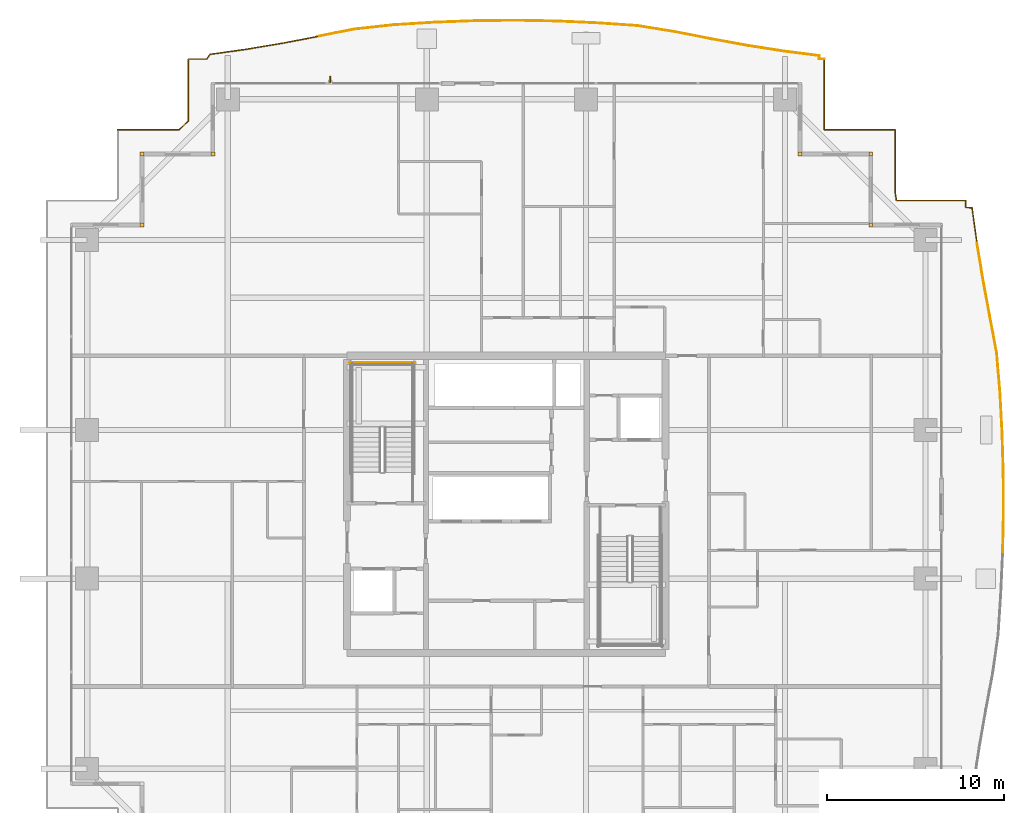
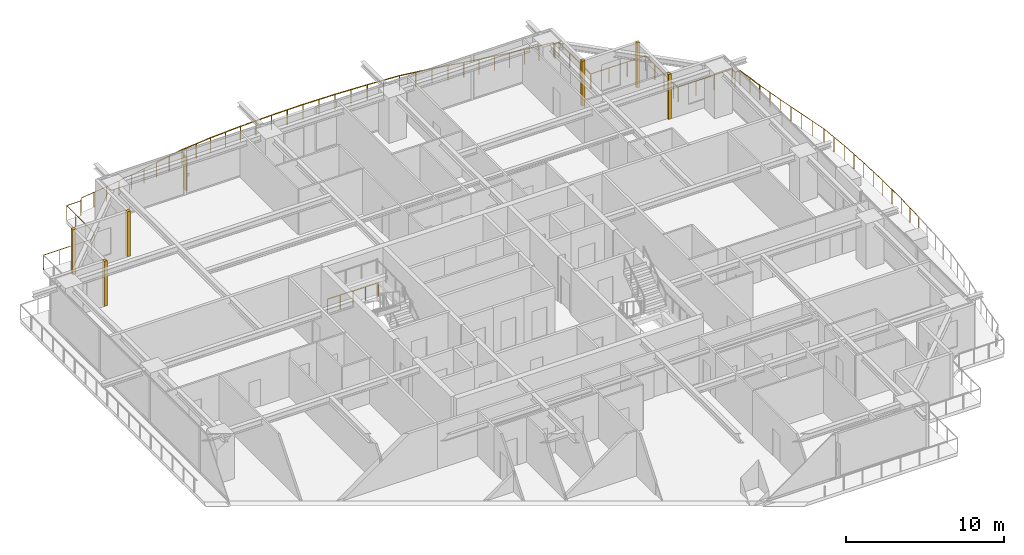
# One storey, part 34 of 34: 6 coverings, 6 railings, 1 shading device.
"""IFC4 building model written with IfcOpenShell, lengths in metres."""

from ifc_helpers import new_model, si_unit, direction, frame, origin, origin_2d, place, context, subcontext, project, spatial, rectangle, circle, extrude, source, transform, mapped, material, layer, layer_set, type_object, element, save


model = new_model("IFC4")

# Units and contexts
model_context = context("Model", 3, precision=1e-05, world=origin(), true_north=direction((0.0, 1.0)))
body_context = subcontext(model_context, "Body", "Model", "MODEL_VIEW")
ifc_project = project(units=[si_unit("LENGTHUNIT", "METRE"), si_unit("AREAUNIT", "SQUARE_METRE"), si_unit("VOLUMEUNIT", "CUBIC_METRE"), si_unit("PLANEANGLEUNIT", "RADIAN"), si_unit("MASSUNIT", "GRAM", prefix="KILO")], contexts=[model_context])

# Site, building, storey
site_placement = place(None, origin())
site = spatial("IfcSite", under=ifc_project, at=site_placement, CompositionType="ELEMENT")
building_placement = place(site_placement, origin())
building = spatial("IfcBuilding", under=site, at=building_placement, Name="Serunith Strait Residences", CompositionType="ELEMENT")
storey_placement = place(building_placement, frame((0.0, 0.0, 135.14990234375)))
storey = spatial("IfcBuildingStorey", under=building, at=storey_placement, Name="L33", CompositionType="ELEMENT", Elevation=135.14990234375)

# Railings
ifc_material_1 = material(Name="Stainless Steel & Laminated Glass Balustrade", Category="steel")
railing_type_1 = type_object("IfcRailingType", Name="RLG-BALC-1150", PredefinedType="BALUSTRADE", material=ifc_material_1)
railing_1_placement = place(storey_placement, frame((10.419921875, 46.3798828125, -0.0498046875)))
element("IfcRailing", 1, at=railing_1_placement, inside=storey, type_object=railing_type_1, Name="L33 Swirling Balcony Perimeter Balustrade 1", PredefinedType="BALUSTRADE", context=body_context, shape_type="SweptSolid", body=[
    extrude(circle(Radius=0.02392578125, at=origin_2d()), frame((0.001953125, 0.0, 1.1259765625), z_axis=(1.0, 0.0, 0.0), x_axis=(0.0, 1.0, 0.0)), (0.0, 0.0, 1.0), 3.474365234375),
    extrude(circle(Radius=0.02392578125, at=origin_2d()), frame((3.479736328125, 0.00146484375, 1.1259765625), z_axis=(0.72113776667, 0.692791686932, 0.0), x_axis=(-0.692791686932, 0.72113776667, 0.0)), (0.0, 0.0, 1.0), 0.719482421875),
    extrude(circle(Radius=0.02392578125, at=origin_2d()), frame((4.0, 0.503173828125, 1.1259765625), z_axis=(0.0, 1.0, 0.0), x_axis=(-1.0, 0.0, 0.0)), (0.0, 0.0, 1.0), 3.494873046875),
    extrude(circle(Radius=0.02392578125, at=origin_2d()), frame((4.001953125, 4.0, 1.1259765625), z_axis=(1.0, 0.0, 0.0), x_axis=(0.0, 1.0, 0.0)), (0.0, 0.0, 1.0), 1.03515625),
    extrude(circle(Radius=0.02392578125, at=origin_2d()), frame((5.040283203125, 4.001708984375, 1.1259765625), z_axis=(0.582083902484, 0.813128729334, 0.0), x_axis=(-0.813128729334, 0.582083902484, 0.0)), (0.0, 0.0, 1.0), 0.323486328125),
    extrude(circle(Radius=0.02392578125, at=origin_2d()), frame((5.231689453125, 4.2666015625, 1.1259765625), z_axis=(0.990531639643, 0.137284634485, 0.0), x_axis=(-0.137284634485, 0.990531639643, 0.0)), (0.0, 0.0, 1.0), 2.0126953125),
    extrude(circle(Radius=0.02392578125, at=origin_2d()), frame((7.229248046875, 4.54345703125, 1.1259765625), z_axis=(0.986345429549, 0.164689688831, 0.0), x_axis=(-0.164689688831, 0.986345429549, 0.0)), (0.0, 0.0, 1.0), 2.038818359375),
    extrude(circle(Radius=0.02392578125, at=origin_2d()), frame((9.244140625, 4.880126953125, 1.1259765625), z_axis=(0.982492799089, 0.186300562903, 0.0), x_axis=(-0.186300562903, 0.982492799089, 0.0)), (0.0, 0.0, 1.0), 2.08349609375),
    extrude(circle(Radius=0.02099609375, at=origin_2d()), origin(), (0.0, 0.0, 1.0), 1.099853515625),
    extrude(circle(Radius=0.02099609375, at=origin_2d()), frame((1.159423828125, 0.0, 0.0)), (0.0, 0.0, 1.0), 1.099853515625),
    extrude(circle(Radius=0.02099609375, at=origin_2d()), frame((2.31884765625, 0.0, 0.0)), (0.0, 0.0, 1.0), 1.099853515625),
    extrude(circle(Radius=0.02099609375, at=origin_2d()), frame((3.478271484375, 0.0, 0.0)), (0.0, 0.0, 1.0), 1.099853515625),
    extrude(circle(Radius=0.02099609375, at=origin_2d()), frame((4.0, 0.501220703125, 0.0)), (0.0, 0.0, 1.0), 1.099853515625),
    extrude(circle(Radius=0.02099609375, at=origin_2d()), frame((4.0, 1.66748046875, 0.0)), (0.0, 0.0, 1.0), 1.099853515625),
    extrude(circle(Radius=0.02099609375, at=origin_2d()), frame((4.0, 2.833740234375, 0.0)), (0.0, 0.0, 1.0), 1.099853515625),
    extrude(circle(Radius=0.02099609375, at=origin_2d()), frame((4.0, 4.0, 0.0)), (0.0, 0.0, 1.0), 1.099853515625),
    extrude(circle(Radius=0.02099609375, at=origin_2d()), frame((5.0390625, 4.0, 0.0)), (0.0, 0.0, 1.0), 1.099853515625),
    extrude(circle(Radius=0.02099609375, at=origin_2d()), frame((5.229736328125, 4.266357421875, 0.0)), (0.0, 0.0, 1.0), 1.099853515625),
    extrude(circle(Radius=0.02099609375, at=origin_2d()), frame((6.228515625, 4.40478515625, 0.0)), (0.0, 0.0, 1.0), 1.099853515625),
    extrude(circle(Radius=0.02099609375, at=origin_2d()), frame((7.227294921875, 4.543212890625, 0.0)), (0.0, 0.0, 1.0), 1.099853515625),
    extrude(circle(Radius=0.02099609375, at=origin_2d()), frame((8.23486328125, 4.71142578125, 0.0)), (0.0, 0.0, 1.0), 1.099853515625),
    extrude(circle(Radius=0.02099609375, at=origin_2d()), frame((9.2421875, 4.879638671875, 0.0)), (0.0, 0.0, 1.0), 1.099853515625),
    extrude(circle(Radius=0.02099609375, at=origin_2d()), frame((10.267578125, 5.07421875, 0.0)), (0.0, 0.0, 1.0), 1.099853515625),
    extrude(circle(Radius=0.02099609375, at=origin_2d()), frame((11.293212890625, 5.2685546875, 0.0)), (0.0, 0.0, 1.0), 1.099853515625),
])
railing_2_placement = place(storey_placement, frame((21.713134765625, 51.6484375, -0.0498046875)))
element("IfcRailing", 2, at=railing_2_placement, inside=storey, type_object=railing_type_1, Name="L33 Swirling Balcony Perimeter Balustrade 2", PredefinedType="BALUSTRADE", context=body_context, shape_type="SweptSolid", body=[
    extrude(circle(Radius=0.02392578125, at=origin_2d()), frame((0.001953125, 0.00048828125, 1.1259765625), z_axis=(0.980807266515, 0.194979757801, 0.0), x_axis=(-0.194979757801, 0.980807266515, 0.0)), (0.0, 0.0, 1.0), 2.144775390625),
    extrude(circle(Radius=0.02392578125, at=origin_2d()), frame((2.109375, 0.419189453125, 1.1259765625), z_axis=(0.99426813707, 0.106915254322, 0.0), x_axis=(-0.106915254322, 0.99426813707, 0.0)), (0.0, 0.0, 1.0), 2.229248046875),
    extrude(circle(Radius=0.02392578125, at=origin_2d()), frame((4.329833984375, 0.657958984375, 1.1259765625), z_axis=(0.998069623465, 0.062104965305, 0.0), x_axis=(-0.062104965305, 0.998069623465, 0.0)), (0.0, 0.0, 1.0), 2.276123046875),
    extrude(circle(Radius=0.02392578125, at=origin_2d()), frame((6.60546875, 0.79931640625, 1.1259765625), z_axis=(0.999280757118, 0.037920554489, 0.0), x_axis=(-0.037920554489, 0.999280757118, 0.0)), (0.0, 0.0, 1.0), 2.30078125),
    extrude(circle(Radius=0.02392578125, at=origin_2d()), frame((8.90869140625, 0.88671875, 1.1259765625), z_axis=(0.999946673077, 0.010327197172, 0.0), x_axis=(-0.010327197172, 0.999946673077, 0.0)), (0.0, 0.0, 1.0), 2.312744140625),
    extrude(circle(Radius=0.02392578125, at=origin_2d()), frame((11.225341796875, 0.91064453125, 1.1259765625), z_axis=(0.99983725246, -0.018040748145, 0.0), x_axis=(0.018040748145, 0.99983725246, 0.0)), (0.0, 0.0, 1.0), 2.31005859375),
    extrude(circle(Radius=0.02392578125, at=origin_2d()), frame((13.5390625, 0.868896484375, 1.1259765625), z_axis=(0.998984472559, -0.045055783041, 0.0), x_axis=(0.045055783041, 0.998984472559, 0.0)), (0.0, 0.0, 1.0), 2.29345703125),
    extrude(circle(Radius=0.02392578125, at=origin_2d()), frame((15.834228515625, 0.76513671875, 1.1259765625), z_axis=(0.997663067572, -0.068325716988, 0.0), x_axis=(0.068325716988, 0.997663067572, 0.0)), (0.0, 0.0, 1.0), 2.264892578125),
    extrude(circle(Radius=0.02099609375, at=origin_2d()), origin(), (0.0, 0.0, 1.0), 1.099853515625),
    extrude(circle(Radius=0.02099609375, at=origin_2d()), frame((1.0537109375, 0.20947265625, 0.0)), (0.0, 0.0, 1.0), 1.099853515625),
    extrude(circle(Radius=0.02099609375, at=origin_2d()), frame((2.107421875, 0.4189453125, 0.0)), (0.0, 0.0, 1.0), 1.099853515625),
    extrude(circle(Radius=0.02099609375, at=origin_2d()), frame((3.2177734375, 0.538330078125, 0.0)), (0.0, 0.0, 1.0), 1.099853515625),
    extrude(circle(Radius=0.02099609375, at=origin_2d()), frame((4.327880859375, 0.65771484375, 0.0)), (0.0, 0.0, 1.0), 1.099853515625),
    extrude(circle(Radius=0.02099609375, at=origin_2d()), frame((5.4658203125, 0.728515625, 0.0)), (0.0, 0.0, 1.0), 1.099853515625),
    extrude(circle(Radius=0.02099609375, at=origin_2d()), frame((6.603515625, 0.79931640625, 0.0)), (0.0, 0.0, 1.0), 1.099853515625),
    extrude(circle(Radius=0.02099609375, at=origin_2d()), frame((7.755126953125, 0.843017578125, 0.0)), (0.0, 0.0, 1.0), 1.099853515625),
    extrude(circle(Radius=0.02099609375, at=origin_2d()), frame((8.90673828125, 0.88671875, 0.0)), (0.0, 0.0, 1.0), 1.099853515625),
    extrude(circle(Radius=0.02099609375, at=origin_2d()), frame((10.06494140625, 0.898681640625, 0.0)), (0.0, 0.0, 1.0), 1.099853515625),
    extrude(circle(Radius=0.02099609375, at=origin_2d()), frame((11.223388671875, 0.91064453125, 0.0)), (0.0, 0.0, 1.0), 1.099853515625),
    extrude(circle(Radius=0.02099609375, at=origin_2d()), frame((12.38037109375, 0.8896484375, 0.0)), (0.0, 0.0, 1.0), 1.099853515625),
    extrude(circle(Radius=0.02099609375, at=origin_2d()), frame((13.537109375, 0.868896484375, 0.0)), (0.0, 0.0, 1.0), 1.099853515625),
    extrude(circle(Radius=0.02099609375, at=origin_2d()), frame((14.6845703125, 0.817138671875, 0.0)), (0.0, 0.0, 1.0), 1.099853515625),
    extrude(circle(Radius=0.02099609375, at=origin_2d()), frame((15.832275390625, 0.765380859375, 0.0)), (0.0, 0.0, 1.0), 1.099853515625),
    extrude(circle(Radius=0.02099609375, at=origin_2d()), frame((16.964111328125, 0.68798828125, 0.0)), (0.0, 0.0, 1.0), 1.099853515625),
    extrude(circle(Radius=0.02099609375, at=origin_2d()), frame((18.095947265625, 0.6103515625, 0.0)), (0.0, 0.0, 1.0), 1.099853515625),
])
railing_3_placement = place(storey_placement, frame((39.80908203125, 52.2587890625, -0.0498046875)))
element("IfcRailing", 3, at=railing_3_placement, inside=storey, type_object=railing_type_1, Name="L33 Swirling Balcony Perimeter Balustrade 3", PredefinedType="BALUSTRADE", context=body_context, shape_type="SweptSolid", body=[
    extrude(circle(Radius=0.02392578125, at=origin_2d()), frame((0.001953125, -0.000244140625, 1.1259765625), z_axis=(0.987146764699, -0.159816347552, 0.0), x_axis=(0.159816347552, 0.987146764699, 0.0)), (0.0, 0.0, 1.0), 2.191162109375),
    extrude(circle(Radius=0.02392578125, at=origin_2d()), frame((2.1689453125, -0.351318359375, 1.1259765625), z_axis=(0.981130083436, -0.193348802366, 0.0), x_axis=(0.193348802366, 0.981130083436, 0.0)), (0.0, 0.0, 1.0), 2.117431640625),
    extrude(circle(Radius=0.02392578125, at=origin_2d()), frame((4.250244140625, -0.76123046875, 1.1259765625), z_axis=(0.983890699028, -0.178771061322, 0.0), x_axis=(0.178771061322, 0.983890699028, 0.0)), (0.0, 0.0, 1.0), 2.062255859375),
    extrude(circle(Radius=0.02392578125, at=origin_2d()), frame((6.283203125, -1.130615234375, 1.1259765625), z_axis=(0.988038393058, -0.154208086182, 0.0), x_axis=(0.154208086182, 0.988038393058, 0.0)), (0.0, 0.0, 1.0), 2.025634765625),
    extrude(circle(Radius=0.02392578125, at=origin_2d()), frame((8.28857421875, -1.443603515625, 1.1259765625), z_axis=(0.992019748254, -0.126082588305, 0.0), x_axis=(0.126082588305, 0.992019748254, 0.0)), (0.0, 0.0, 1.0), 2.005859375),
    extrude(circle(Radius=0.02392578125, at=origin_2d()), frame((10.280517578125, -1.69873046875, 1.1259765625), z_axis=(-0.009382964951, -0.999955979015, 0.0), x_axis=(0.999955979015, -0.009382964951, 0.0)), (0.0, 0.0, 1.0), 0.17822265625),
    extrude(circle(Radius=0.02392578125, at=origin_2d()), frame((10.28076171875, -1.87890625, 1.1259765625), z_axis=(1.0, 0.0, 0.0), x_axis=(0.0, 1.0, 0.0)), (0.0, 0.0, 1.0), 0.2880859375),
    extrude(circle(Radius=0.02099609375, at=origin_2d()), origin(), (0.0, 0.0, 1.0), 1.099853515625),
    extrude(circle(Radius=0.02099609375, at=origin_2d()), frame((1.08349609375, -0.17529296875, 0.0)), (0.0, 0.0, 1.0), 1.099853515625),
    extrude(circle(Radius=0.02099609375, at=origin_2d()), frame((2.1669921875, -0.350830078125, 0.0)), (0.0, 0.0, 1.0), 1.099853515625),
    extrude(circle(Radius=0.02099609375, at=origin_2d()), frame((3.20751953125, -0.555908203125, 0.0)), (0.0, 0.0, 1.0), 1.099853515625),
    extrude(circle(Radius=0.02099609375, at=origin_2d()), frame((4.248291015625, -0.760986328125, 0.0)), (0.0, 0.0, 1.0), 1.099853515625),
    extrude(circle(Radius=0.02099609375, at=origin_2d()), frame((5.2646484375, -0.94580078125, 0.0)), (0.0, 0.0, 1.0), 1.099853515625),
    extrude(circle(Radius=0.02099609375, at=origin_2d()), frame((6.28125, -1.13037109375, 0.0)), (0.0, 0.0, 1.0), 1.099853515625),
    extrude(circle(Radius=0.02099609375, at=origin_2d()), frame((7.283935546875, -1.286865234375, 0.0)), (0.0, 0.0, 1.0), 1.099853515625),
    extrude(circle(Radius=0.02099609375, at=origin_2d()), frame((8.28662109375, -1.443359375, 0.0)), (0.0, 0.0, 1.0), 1.099853515625),
    extrude(circle(Radius=0.02099609375, at=origin_2d()), frame((9.28369140625, -1.570068359375, 0.0)), (0.0, 0.0, 1.0), 1.099853515625),
    extrude(circle(Radius=0.02099609375, at=origin_2d()), frame((10.280517578125, -1.69677734375, 0.0)), (0.0, 0.0, 1.0), 1.099853515625),
    extrude(circle(Radius=0.02099609375, at=origin_2d()), frame((10.27880859375, -1.87890625, 0.0)), (0.0, 0.0, 1.0), 1.099853515625),
    extrude(circle(Radius=0.02099609375, at=origin_2d()), frame((10.57080078125, -1.87890625, 0.0)), (0.0, 0.0, 1.0), 1.099853515625),
])
railing_4_placement = place(storey_placement, frame((50.3798828125, 50.3798828125, -0.0498046875)))
element("IfcRailing", 4, at=railing_4_placement, inside=storey, type_object=railing_type_1, Name="L33 Swirling Balcony Perimeter Balustrade 4", PredefinedType="BALUSTRADE", context=body_context, shape_type="SweptSolid", body=[
    extrude(circle(Radius=0.02392578125, at=origin_2d()), frame((0.0, -0.001953125, 1.1259765625), z_axis=(0.0, -1.0, 0.0), x_axis=(1.0, 0.0, 0.0)), (0.0, 0.0, 1.0), 3.99609375),
    extrude(circle(Radius=0.02392578125, at=origin_2d()), frame((0.001953125, -4.0, 1.1259765625), z_axis=(1.0, 0.0, 0.0), x_axis=(0.0, 1.0, 0.0)), (0.0, 0.0, 1.0), 3.99609375),
    extrude(circle(Radius=0.02392578125, at=origin_2d()), frame((4.0, -4.001953125, 1.1259765625), z_axis=(0.0, -1.0, 0.0), x_axis=(1.0, 0.0, 0.0)), (0.0, 0.0, 1.0), 3.50927734375),
    extrude(circle(Radius=0.02392578125, at=origin_2d()), frame((4.000244140625, -7.51513671875, 1.1259765625), z_axis=(0.147321627936, -0.989088640083, 0.0), x_axis=(0.989088640083, 0.147321627936, 0.0)), (0.0, 0.0, 1.0), 0.48828125),
    extrude(circle(Radius=0.02392578125, at=origin_2d()), frame((4.074462890625, -8.0, 1.1259765625), z_axis=(1.0, 0.0, 0.0), x_axis=(0.0, 1.0, 0.0)), (0.0, 0.0, 1.0), 3.923583984375),
    extrude(circle(Radius=0.02392578125, at=origin_2d()), frame((8.0, -8.001953125, 1.1259765625), z_axis=(0.0, -1.0, 0.0), x_axis=(1.0, 0.0, 0.0)), (0.0, 0.0, 1.0), 0.3876953125),
    extrude(circle(Radius=0.02392578125, at=origin_2d()), frame((8.001953125, -8.3916015625, 1.1259765625), z_axis=(0.998324487831, -0.057863779672, 0.0), x_axis=(0.057863779672, 0.998324487831, 0.0)), (0.0, 0.0, 1.0), 0.34619140625),
    extrude(circle(Radius=0.02392578125, at=origin_2d()), frame((8.349853515625, -8.413818359375, 1.1259765625), z_axis=(0.138969932659, -0.990296600932, 0.0), x_axis=(0.990296600932, 0.138969932659, 0.0)), (0.0, 0.0, 1.0), 2.01806640625),
    extrude(circle(Radius=0.02099609375, at=origin_2d()), origin(), (0.0, 0.0, 1.0), 1.099853515625),
    extrude(circle(Radius=0.02099609375, at=origin_2d()), frame((0.0, -1.333251953125, 0.0)), (0.0, 0.0, 1.0), 1.099853515625),
    extrude(circle(Radius=0.02099609375, at=origin_2d()), frame((0.0, -2.666748046875, 0.0)), (0.0, 0.0, 1.0), 1.099853515625),
    extrude(circle(Radius=0.02099609375, at=origin_2d()), frame((0.0, -4.0, 0.0)), (0.0, 0.0, 1.0), 1.099853515625),
    extrude(circle(Radius=0.02099609375, at=origin_2d()), frame((1.333251953125, -4.0, 0.0)), (0.0, 0.0, 1.0), 1.099853515625),
    extrude(circle(Radius=0.02099609375, at=origin_2d()), frame((2.666748046875, -4.0, 0.0)), (0.0, 0.0, 1.0), 1.099853515625),
    extrude(circle(Radius=0.02099609375, at=origin_2d()), frame((4.0, -4.0, 0.0)), (0.0, 0.0, 1.0), 1.099853515625),
    extrude(circle(Radius=0.02099609375, at=origin_2d()), frame((4.0, -5.171142578125, 0.0)), (0.0, 0.0, 1.0), 1.099853515625),
    extrude(circle(Radius=0.02099609375, at=origin_2d()), frame((4.0, -6.342041015625, 0.0)), (0.0, 0.0, 1.0), 1.099853515625),
    extrude(circle(Radius=0.02099609375, at=origin_2d()), frame((4.0, -7.51318359375, 0.0)), (0.0, 0.0, 1.0), 1.099853515625),
    extrude(circle(Radius=0.02099609375, at=origin_2d()), frame((4.072509765625, -8.0, 0.0)), (0.0, 0.0, 1.0), 1.099853515625),
    extrude(circle(Radius=0.02099609375, at=origin_2d()), frame((5.381591796875, -8.0, 0.0)), (0.0, 0.0, 1.0), 1.099853515625),
    extrude(circle(Radius=0.02099609375, at=origin_2d()), frame((6.69091796875, -8.0, 0.0)), (0.0, 0.0, 1.0), 1.099853515625),
    extrude(circle(Radius=0.02099609375, at=origin_2d()), frame((8.0, -8.0, 0.0)), (0.0, 0.0, 1.0), 1.099853515625),
    extrude(circle(Radius=0.02099609375, at=origin_2d()), frame((8.0, -8.3916015625, 0.0)), (0.0, 0.0, 1.0), 1.099853515625),
    extrude(circle(Radius=0.02099609375, at=origin_2d()), frame((8.349609375, -8.411865234375, 0.0)), (0.0, 0.0, 1.0), 1.099853515625),
    extrude(circle(Radius=0.02099609375, at=origin_2d()), frame((8.490234375, -9.4130859375, 0.0)), (0.0, 0.0, 1.0), 1.099853515625),
    extrude(circle(Radius=0.02099609375, at=origin_2d()), frame((8.630615234375, -10.414306640625, 0.0)), (0.0, 0.0, 1.0), 1.099853515625),
])
railing_5_placement = place(storey_placement, frame((59.010498046875, 39.965576171875, -0.0498046875)))
element("IfcRailing", 5, at=railing_5_placement, inside=storey, type_object=railing_type_1, Name="L33 Swirling Balcony Perimeter Balustrade 5", PredefinedType="BALUSTRADE", context=body_context, shape_type="SweptSolid", body=[
    extrude(circle(Radius=0.02392578125, at=origin_2d()), frame((0.000244140625, -0.001953125, 1.1259765625), z_axis=(0.163221213973, -0.986589496857, 0.0), x_axis=(0.986589496857, 0.163221213973, 0.0)), (0.0, 0.0, 1.0), 2.046630859375),
    extrude(circle(Radius=0.02392578125, at=origin_2d()), frame((0.3349609375, -2.025146484375, 1.1259765625), z_axis=(0.180587116748, -0.983558993281, 0.0), x_axis=(0.983558993281, 0.180587116748, 0.0)), (0.0, 0.0, 1.0), 2.091552734375),
    extrude(circle(Radius=0.02392578125, at=origin_2d()), frame((0.713623046875, -4.086181640625, 1.1259765625), z_axis=(0.184637537714, -0.982806684789, 0.0), x_axis=(0.982806684789, 0.184637537714, 0.0)), (0.0, 0.0, 1.0), 2.14990234375),
    extrude(circle(Radius=0.02392578125, at=origin_2d()), frame((1.111083984375, -6.203125, 1.1259765625), z_axis=(0.084887412129, -0.996390549565, 0.0), x_axis=(0.996390549565, 0.084887412129, 0.0)), (0.0, 0.0, 1.0), 2.233642578125),
    extrude(circle(Radius=0.02392578125, at=origin_2d()), frame((1.30078125, -8.4326171875, 1.1259765625), z_axis=(0.052716618703, -0.998609512328, 0.0), x_axis=(0.998609512328, 0.052716618703, 0.0)), (0.0, 0.0, 1.0), 2.27001953125),
    extrude(circle(Radius=0.02392578125, at=origin_2d()), frame((1.420654296875, -10.703369140625, 1.1259765625), z_axis=(0.029789859651, -0.999556183645, 0.0), x_axis=(0.999556183645, 0.029789859651, 0.0)), (0.0, 0.0, 1.0), 2.290771484375),
    extrude(circle(Radius=0.02392578125, at=origin_2d()), frame((1.489013671875, -12.9970703125, 1.1259765625), z_axis=(0.004345020451, -0.999990560354, 0.0), x_axis=(0.999990560354, 0.004345020451, 0.0)), (0.0, 0.0, 1.0), 2.2998046875),
    extrude(circle(Radius=0.02392578125, at=origin_2d()), frame((1.4990234375, -15.30078125, 1.1259765625), z_axis=(-0.021443358789, -0.999770064747, 0.0), x_axis=(0.999770064747, -0.021443358789, 0.0)), (0.0, 0.0, 1.0), 2.2958984375),
    extrude(circle(Radius=0.02099609375, at=origin_2d()), origin(), (0.0, 0.0, 1.0), 1.099853515625),
    extrude(circle(Radius=0.02099609375, at=origin_2d()), frame((0.16748046875, -1.01171875, 0.0)), (0.0, 0.0, 1.0), 1.099853515625),
    extrude(circle(Radius=0.02099609375, at=origin_2d()), frame((0.334716796875, -2.023193359375, 0.0)), (0.0, 0.0, 1.0), 1.099853515625),
    extrude(circle(Radius=0.02099609375, at=origin_2d()), frame((0.52392578125, -3.0537109375, 0.0)), (0.0, 0.0, 1.0), 1.099853515625),
    extrude(circle(Radius=0.02099609375, at=origin_2d()), frame((0.713134765625, -4.084228515625, 0.0)), (0.0, 0.0, 1.0), 1.099853515625),
    extrude(circle(Radius=0.02099609375, at=origin_2d()), frame((0.912109375, -5.142578125, 0.0)), (0.0, 0.0, 1.0), 1.099853515625),
    extrude(circle(Radius=0.02099609375, at=origin_2d()), frame((1.11083984375, -6.201171875, 0.0)), (0.0, 0.0, 1.0), 1.099853515625),
    extrude(circle(Radius=0.02099609375, at=origin_2d()), frame((1.205810546875, -7.31591796875, 0.0)), (0.0, 0.0, 1.0), 1.099853515625),
    extrude(circle(Radius=0.02099609375, at=origin_2d()), frame((1.30078125, -8.4306640625, 0.0)), (0.0, 0.0, 1.0), 1.099853515625),
    extrude(circle(Radius=0.02099609375, at=origin_2d()), frame((1.36083984375, -9.56591796875, 0.0)), (0.0, 0.0, 1.0), 1.099853515625),
    extrude(circle(Radius=0.02099609375, at=origin_2d()), frame((1.420654296875, -10.701416015625, 0.0)), (0.0, 0.0, 1.0), 1.099853515625),
    extrude(circle(Radius=0.02099609375, at=origin_2d()), frame((1.454833984375, -11.84814453125, 0.0)), (0.0, 0.0, 1.0), 1.099853515625),
    extrude(circle(Radius=0.02099609375, at=origin_2d()), frame((1.489013671875, -12.9951171875, 0.0)), (0.0, 0.0, 1.0), 1.099853515625),
    extrude(circle(Radius=0.02099609375, at=origin_2d()), frame((1.494140625, -14.14697265625, 0.0)), (0.0, 0.0, 1.0), 1.099853515625),
    extrude(circle(Radius=0.02099609375, at=origin_2d()), frame((1.4990234375, -15.298828125, 0.0)), (0.0, 0.0, 1.0), 1.099853515625),
    extrude(circle(Radius=0.02099609375, at=origin_2d()), frame((1.474365234375, -16.448486328125, 0.0)), (0.0, 0.0, 1.0), 1.099853515625),
    extrude(circle(Radius=0.02099609375, at=origin_2d()), frame((1.44970703125, -17.59814453125, 0.0)), (0.0, 0.0, 1.0), 1.099853515625),
])
ifc_material_2 = material(Name="Brushed stainless steel 316L", Category="steel")
railing_type_2 = type_object("IfcRailingType", Name="RLG-STAIR-GUARD", PredefinedType="BALUSTRADE", material=ifc_material_2)
railing_6_placement = place(storey_placement, frame((27.25, 33.199951171875, 0.0)))
element("IfcRailing", 6, at=railing_6_placement, inside=storey, type_object=railing_type_2, Name="L33 ST-1 stair guard 12", PredefinedType="BALUSTRADE", context=body_context, shape_type="SweptSolid", body=[
    extrude(circle(Radius=0.02392578125, at=origin_2d()), frame((-0.001953125, 0.0, 1.076171875), z_axis=(-1.0, 0.0, 0.0), x_axis=(0.0, -1.0, 0.0)), (0.0, 0.0, 1.0), 3.696044921875),
    extrude(circle(Radius=0.02099609375, at=origin_2d()), origin(), (0.0, 0.0, 1.0), 1.050048828125),
    extrude(circle(Radius=0.02099609375, at=origin_2d()), frame((-0.925048828125, 0.0, 0.0)), (0.0, 0.0, 1.0), 1.050048828125),
    extrude(circle(Radius=0.02099609375, at=origin_2d()), frame((-1.85009765625, 0.0, 0.0)), (0.0, 0.0, 1.0), 1.050048828125),
    extrude(circle(Radius=0.02099609375, at=origin_2d()), frame((-2.77490234375, 0.0, 0.0)), (0.0, 0.0, 1.0), 1.050048828125),
    extrude(circle(Radius=0.02099609375, at=origin_2d()), frame((-3.699951171875, 0.0, 0.0)), (0.0, 0.0, 1.0), 1.050048828125),
])

# Coverings
ifc_material_3 = material(Name="Pale-Champagne Anodised Aluminium", Category="aluminium")
ifc_layer = layer(ifc_material_3, 0.219970703125, Name="Pale-Champagne Anodised Aluminium")
ifc_layer_set = layer_set([ifc_layer], Name="Pale-Champagne Anodised Aluminium")
covering_type = type_object("IfcCoveringType", Name="COV-CORN-TRIM", PredefinedType="CLADDING", material=ifc_layer_set)
shared_shape_1 = source(origin(), body_context, "Body", "SweptSolid", [
    extrude(rectangle(XDim=0.221923828125, YDim=0.221923828125, at=origin_2d()), origin(), (0.0, 0.0, 1.0), 3.47509765625),
])
for number, where, z_axis, x_axis, name in (
    (7, (53.0, 41.0, 0.0), (0.0, 0.0, 1.0), (1.0, 0.0, 0.0), "L33 Girih Serrated Corner Trim Post 07"),
    (8, (53.0, 45.0, 0.0), (0.0, 0.0, 1.0), (1.0, 0.0, 0.0), "L33 Girih Serrated Corner Trim Post 08"),
    (9, (49.0, 45.0, 0.0), (0.0, 0.0, 1.0), (1.0, 0.0, 0.0), "L33 Girih Serrated Corner Trim Post 09"),
    (10, (15.800048828125, 45.0, 0.0), (0.0, 0.0, 1.0), (1.0, 0.0, 0.0), "L33 Girih Serrated Corner Trim Post 12"),
    (11, (11.800048828125, 45.0, 0.0), (0.0, 0.0, 1.0), (1.0, 0.0, 0.0), "L33 Girih Serrated Corner Trim Post 13"),
    (12, (11.800048828125, 41.0, 0.0), (0.0, 0.0, 1.0), (1.0, 0.0, 0.0), "L33 Girih Serrated Corner Trim Post 14"),
):
    element("IfcCovering", number, at=place(storey_placement, frame(where, z_axis=z_axis, x_axis=x_axis)), inside=storey, type_object=covering_type, Name=name, PredefinedType="CLADDING", context=body_context, shape_type="MappedRepresentation", body=[
        mapped(shared_shape_1, transform((0.0, 0.0, 0.0), scale=1.0)),
    ])

# Shading device
ifc_material_4 = material(Name="Pale-Champagne Perforated Aluminium Fin", Category="aluminium")
shading_device_type = type_object("IfcShadingDeviceType", Name="SHD-DIAG-FIN", PredefinedType="AWNING", material=ifc_material_4)
shared_shape_2 = source(origin(), body_context, "Body", "SweptSolid", [
    extrude(rectangle(XDim=0.080078125, YDim=0.35009765625, at=origin_2d()), origin(), (0.0, 0.0, 1.0), 2.60009765625),
])
shading_device_placement = place(storey_placement, frame((22.43994140625, 49.219970703125, 0.199951171875), z_axis=(0.0, 0.0, 1.0), x_axis=(1.0, 0.0, 0.0)))
element("IfcShadingDevice", 13, at=shading_device_placement, inside=storey, type_object=shading_device_type, Name="L33 Diagonal Rhythm Solar Fin N", PredefinedType="AWNING", context=body_context, shape_type="MappedRepresentation", body=[
    mapped(shared_shape_2, transform((0.0, 0.0, 0.0), scale=1.0)),
])

save(model, "model.ifc")
